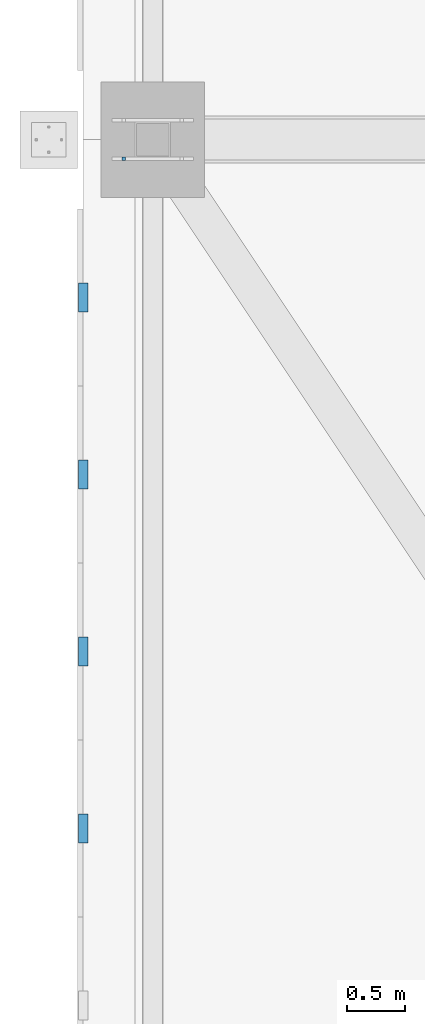
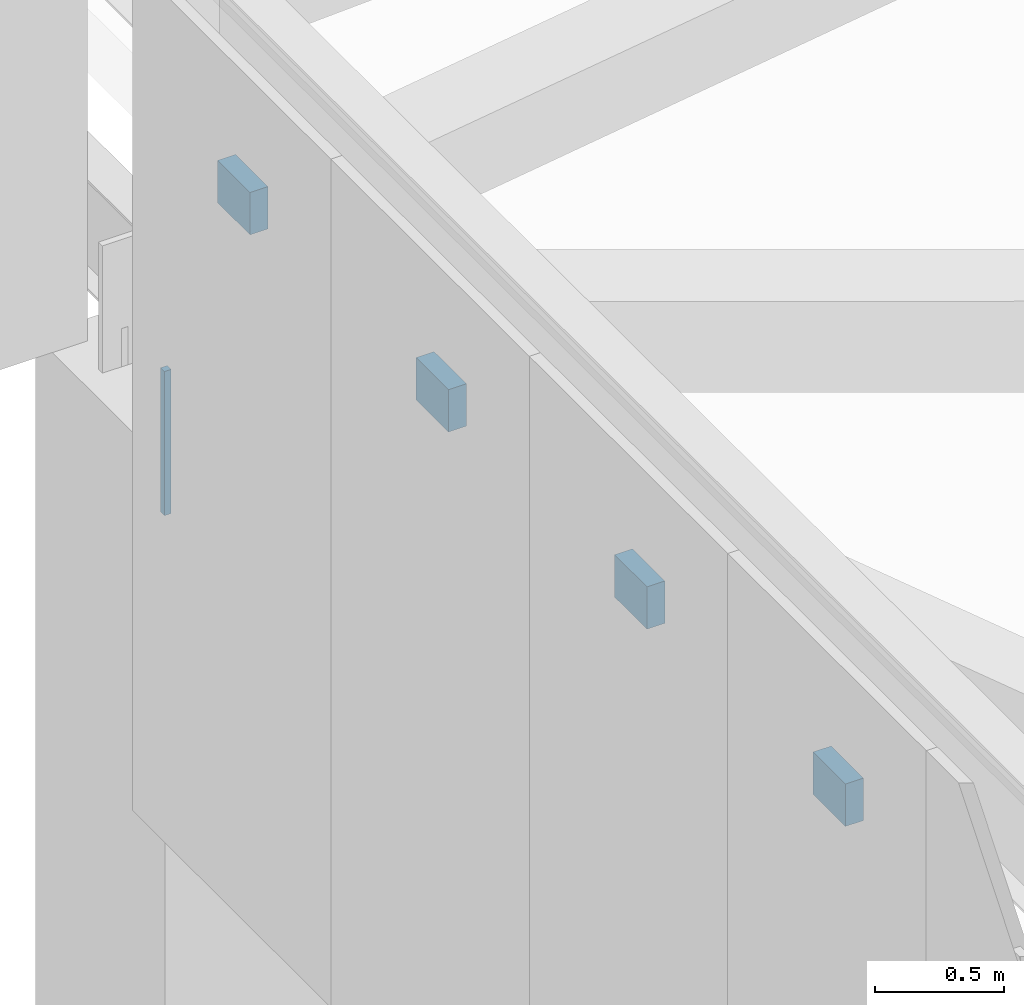
# One storey, part 163 of 278: 4 discrete accessories, 1 mechanical fastener.
"""IFC4 building model written with IfcOpenShell, lengths in metres."""

from ifc_helpers import new_model, si_unit, direction, frame, origin, origin_2d, place, context, subcontext, project, spatial, rectangle, extrude, material, layer, layer_set, type_object, element, save


model = new_model("IFC4")

# Units and contexts
model_context = context("Model", 3, precision=1e-05, world=origin(), true_north=direction((0.0, 1.0)))
body_context = subcontext(model_context, "Body", "Model", "MODEL_VIEW")
ifc_project = project(units=[si_unit("LENGTHUNIT", "METRE"), si_unit("AREAUNIT", "SQUARE_METRE"), si_unit("VOLUMEUNIT", "CUBIC_METRE"), si_unit("PLANEANGLEUNIT", "RADIAN"), si_unit("MASSUNIT", "GRAM", prefix="KILO")], contexts=[model_context])

# Site, building, storey
site_placement = place(None, origin())
site = spatial("IfcSite", under=ifc_project, at=site_placement, CompositionType="ELEMENT")
building_placement = place(site_placement, origin())
building = spatial("IfcBuilding", under=site, at=building_placement, Name="Ogive Plaza Stadium", CompositionType="ELEMENT")
storey_placement = place(building_placement, frame((0.0, 0.0, 29.0)))
storey = spatial("IfcBuildingStorey", under=building, at=storey_placement, Name="Roof", CompositionType="ELEMENT", Elevation=29.0)

# Mechanical fastener
ifc_material_1 = material(Name="Steel ASTM A992 Grade 50", Category="steel")
mechanical_fastener_type = type_object("IfcMechanicalFastenerType", Name="Anchor bolt M30 x 600", PredefinedType="ANCHORBOLT", material=ifc_material_1)
mechanical_fastener_placement = place(storey_placement, frame((-84.25244140625, 7.33349609375, 3.0), z_axis=(0.0, 0.0, 1.0), x_axis=(-1.0, 0.0, 0.0)))
element("IfcMechanicalFastener", 1, at=mechanical_fastener_placement, inside=storey, type_object=mechanical_fastener_type, Name="ANCHOR BOLT 25 BF 1.1", PredefinedType="ANCHORBOLT", context=body_context, shape_type="SweptSolid", body=[
    extrude(rectangle(XDim=0.030029296875, YDim=0.030029296875, at=origin_2d()), origin(), (0.0, 0.0, 1.0), 0.679931640625),
])

# Discrete accessories
ifc_material_2 = material(Name="Steel ASTM A572 Grade 50", Category="steel")
ifc_layer = layer(ifc_material_2, 0.080078125)
ifc_layer_set = layer_set([ifc_layer], Name="Steel ASTM A572 Grade 50")
discrete_accessory_type = type_object("IfcDiscreteAccessoryType", Name="Tracery screen bracket 250x200", PredefinedType="BRACKET", material=ifc_layer_set)
for number, where, z_axis, x_axis, name in (
    (2, (-84.602294921875, 1.533203125, 5.25), (0.0, 0.0, 1.0), (0.0, 1.0, 0.0), "TRACERY SCREEN BRACKET B24 6"),
    (3, (-84.602294921875, 3.066650390625, 5.25), (0.0, 0.0, 1.0), (0.0, 1.0, 0.0), "TRACERY SCREEN BRACKET B24 7"),
    (4, (-84.602294921875, 4.60009765625, 5.25), (0.0, 0.0, 1.0), (0.0, 1.0, 0.0), "TRACERY SCREEN BRACKET B24 8"),
    (5, (-84.602294921875, 6.13330078125, 5.25), (0.0, 0.0, 1.0), (0.0, 1.0, 0.0), "TRACERY SCREEN BRACKET B24 9"),
):
    element("IfcDiscreteAccessory", number, at=place(storey_placement, frame(where, z_axis=z_axis, x_axis=x_axis)), inside=storey, type_object=discrete_accessory_type, Name=name, PredefinedType="BRACKET", context=body_context, shape_type="SweptSolid", body=[
        extrude(rectangle(XDim=0.25, YDim=0.080078125, at=origin_2d()), origin(), (0.0, 0.0, 1.0), 0.199951171875),
    ])

save(model, "model.ifc")
